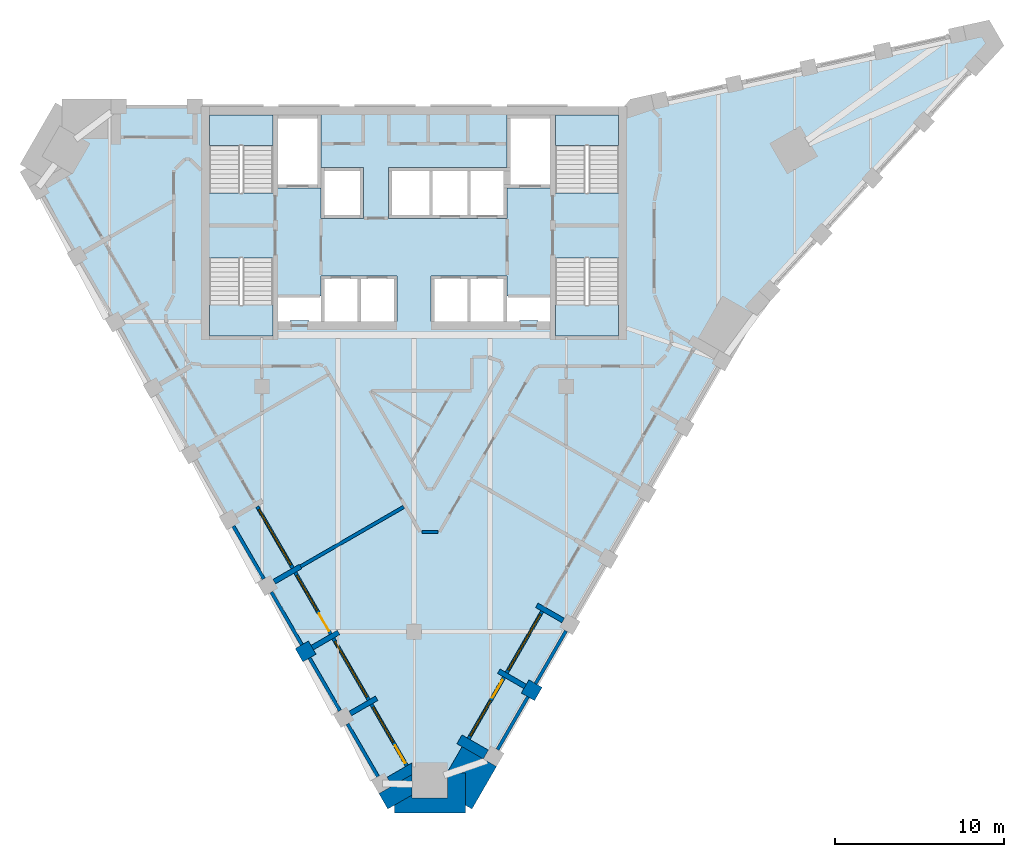
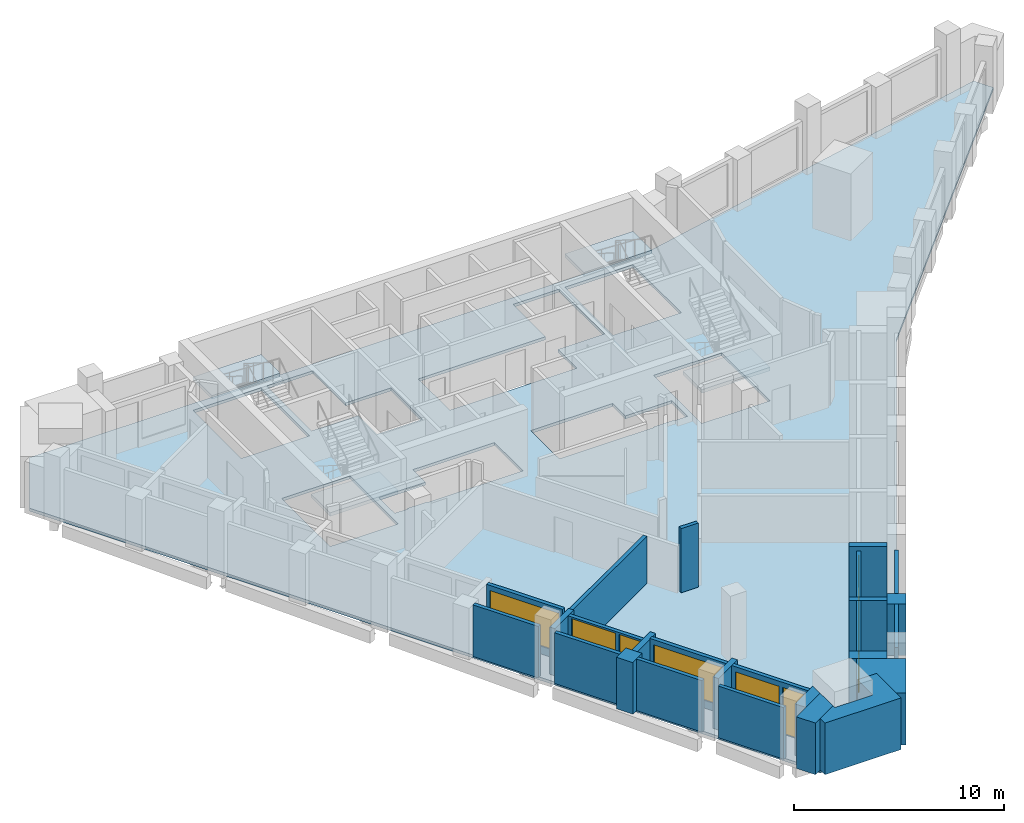
# One storey, part 2 of 9: 26 walls, 6 windows, 5 slabs, 3 doors, 9 openings, 4 elements without a shape of their own.
"""IFC4 building model written with IfcOpenShell, lengths in metres."""

from ifc_helpers import new_model, si_unit, direction, frame, frame_2d, origin, place, context, subcontext, project, spatial, polyline, rectangle, outline, extrude, material, layer, layer_set, type_object, element, fill, aggregate, save


model = new_model("IFC4")

# Units and contexts
model_context = context("Model", 3, precision=1e-05, world=origin(), true_north=direction((0.0, 1.0)))
body_context = subcontext(model_context, "Body", "Model", "MODEL_VIEW")
ifc_project = project(units=[si_unit("LENGTHUNIT", "METRE"), si_unit("AREAUNIT", "SQUARE_METRE"), si_unit("VOLUMEUNIT", "CUBIC_METRE"), si_unit("PLANEANGLEUNIT", "RADIAN"), si_unit("MASSUNIT", "GRAM", prefix="KILO")], contexts=[model_context])

# Site, building, storey
site_placement = place(None, origin())
site = spatial("IfcSite", under=ifc_project, at=site_placement, CompositionType="ELEMENT")
building_placement = place(site_placement, origin())
building = spatial("IfcBuilding", under=site, at=building_placement, Name="Calabash Gate Tower", CompositionType="ELEMENT")
storey_placement = place(building_placement, frame((0.0, 0.0, 287.199951171875)))
storey = spatial("IfcBuildingStorey", under=building, at=storey_placement, Name="L69", CompositionType="ELEMENT", Elevation=287.199951171875)

# Slab
ifc_material_1 = material(Name="Concrete C40/50", Category="concrete")
ifc_layer_1 = layer(ifc_material_1, 0.169921875)
ifc_layer_set_1 = layer_set([ifc_layer_1], Name="Composite floor slab 170 Concrete C40/50")
slab_type_1 = type_object("IfcSlabType", Name="Composite floor slab 170 Concrete C40/50", PredefinedType="FLOOR", material=ifc_layer_set_1)
slab_1_placement = place(storey_placement, frame((0.0, 0.0, -0.169921875)))
element("IfcSlab", 1, at=slab_1_placement, inside=storey, type_object=slab_type_1, Name="Floor slab L69", PredefinedType="FLOOR", context=body_context, shape_type="SweptSolid", body=[
    extrude(outline(polyline([(-22.9111328125, 15.41796875), (-20.812744140625, 19.052490234375), (12.88134765625, 19.052490234375), (33.783935546875, 23.664794921875), (34.326904296875, 22.724365234375), (19.88134765625, 6.92822265625), (3.034423828125, -22.251953125), (-1.16259765625, -22.251953125), (-22.9111328125, 15.41796875)]), holes=[polyline([(-1.0, 9.052490234375), (-3.25, 9.052490234375), (-5.5, 9.052490234375), (-5.5, 7.8525390625), (-8.050048828125, 7.8525390625), (-8.050048828125, 6.3525390625), (-7.324951171875, 6.3525390625), (-7.324951171875, 6.402587890625), (-6.22509765625, 6.402587890625), (-6.22509765625, 6.3525390625), (-5.5, 6.3525390625), (-3.25, 6.3525390625), (-1.0, 6.3525390625), (-1.0, 9.052490234375)]), polyline([(3.25, 6.3525390625), (5.5, 6.3525390625), (6.22509765625, 6.3525390625), (6.22509765625, 6.402587890625), (7.324951171875, 6.402587890625), (7.324951171875, 6.3525390625), (8.050048828125, 6.3525390625), (8.050048828125, 7.8525390625), (5.5, 7.8525390625), (5.5, 9.052490234375), (3.25, 9.052490234375), (1.0, 9.052490234375), (1.0, 6.3525390625), (3.25, 6.3525390625)]), polyline([(-5.5, 14.252685546875), (-5.5, 12.45263671875), (-3.0, 12.45263671875), (-3.0, 15.45263671875), (-5.5, 15.45263671875), (-5.5, 18.552490234375), (-8.050048828125, 18.552490234375), (-8.050048828125, 14.252685546875), (-5.5, 14.252685546875)]), polyline([(1.0, 15.45263671875), (-1.5, 15.45263671875), (-1.5, 12.45263671875), (1.0, 12.45263671875), (3.25, 12.45263671875), (5.5, 12.45263671875), (5.5, 14.252685546875), (8.050048828125, 14.252685546875), (8.050048828125, 18.552490234375), (5.5, 18.552490234375), (5.5, 15.45263671875), (3.25, 15.45263671875), (1.0, 15.45263671875)]), polyline([(-8.35009765625, 18.552490234375), (-12.10009765625, 18.552490234375), (-12.10009765625, 13.95263671875), (-8.35009765625, 13.95263671875), (-8.35009765625, 18.552490234375)]), polyline([(-12.10009765625, 10.1025390625), (-12.10009765625, 5.502685546875), (-8.35009765625, 5.502685546875), (-8.35009765625, 10.1025390625), (-12.10009765625, 10.1025390625)]), polyline([(8.35009765625, 13.95263671875), (12.10009765625, 13.95263671875), (12.10009765625, 18.552490234375), (8.35009765625, 18.552490234375), (8.35009765625, 13.95263671875)]), polyline([(12.10009765625, 5.502685546875), (12.10009765625, 10.1025390625), (8.35009765625, 10.1025390625), (8.35009765625, 5.502685546875), (12.10009765625, 5.502685546875)])]), origin(), (0.0, 0.0, 1.0), 0.169921875),
])

# Stair, slab
ifc_material_2 = material(Name="Concrete C40/50", Category="concrete")
stair_type = type_object("IfcStairType", Name="Exit stair 22 risers of 177.3 mm", PredefinedType="HALF_TURN_STAIR", material=ifc_material_2)
stair_1_placement = place(storey_placement, origin())
stair_1 = element("IfcStair", 2, at=stair_1_placement, inside=storey, type_object=stair_type, Name="L69 Exit stair ST1", PredefinedType="HALF_TURN_STAIR")
ifc_material_3 = material(Name="Concrete C40/50", Category="concrete")
ifc_layer_2 = layer(ifc_material_3, 0.199951171875)
ifc_layer_set_2 = layer_set([ifc_layer_2], Name="Stair landing SL200")
slab_type_2 = type_object("IfcSlabType", Name="Stair landing SL200", PredefinedType="LANDING", material=ifc_layer_set_2)
slab_2_placement = place(storey_placement, frame((0.0, 0.0, 1.75)))
slab_2 = element("IfcSlab", 3, at=slab_2_placement, type_object=slab_type_2, Name="ST1 landing 1", PredefinedType="LANDING", context=body_context, shape_type="SweptSolid", body=[
    extrude(outline(polyline([(-8.35009765625, 16.74267578125), (-8.35009765625, 18.552490234375), (-12.10009765625, 18.552490234375), (-12.10009765625, 16.74267578125), (-8.35009765625, 16.74267578125)])), origin(), (0.0, 0.0, 1.0), 0.199951171875),
])
aggregate(stair_1, [slab_2])

stair_2_placement = place(storey_placement, origin())
stair_2 = element("IfcStair", 4, at=stair_2_placement, inside=storey, type_object=stair_type, Name="L69 Exit stair ST2", PredefinedType="HALF_TURN_STAIR")
slab_3_placement = place(storey_placement, frame((0.0, 0.0, 1.75)))
slab_3 = element("IfcSlab", 5, at=slab_3_placement, type_object=slab_type_2, Name="ST2 landing 1", PredefinedType="LANDING", context=body_context, shape_type="SweptSolid", body=[
    extrude(outline(polyline([(-12.10009765625, 7.3125), (-12.10009765625, 5.502685546875), (-8.35009765625, 5.502685546875), (-8.35009765625, 7.3125), (-12.10009765625, 7.3125)])), origin(), (0.0, 0.0, 1.0), 0.199951171875),
])
aggregate(stair_2, [slab_3])

stair_3_placement = place(storey_placement, origin())
stair_3 = element("IfcStair", 6, at=stair_3_placement, inside=storey, type_object=stair_type, Name="L69 Exit stair ST3", PredefinedType="HALF_TURN_STAIR")
slab_4_placement = place(storey_placement, frame((0.0, 0.0, 1.75)))
slab_4 = element("IfcSlab", 7, at=slab_4_placement, type_object=slab_type_2, Name="ST3 landing 1", PredefinedType="LANDING", context=body_context, shape_type="SweptSolid", body=[
    extrude(outline(polyline([(12.10009765625, 16.74267578125), (12.10009765625, 18.552490234375), (8.35009765625, 18.552490234375), (8.35009765625, 16.74267578125), (12.10009765625, 16.74267578125)])), origin(), (0.0, 0.0, 1.0), 0.199951171875),
])
aggregate(stair_3, [slab_4])

stair_4_placement = place(storey_placement, origin())
stair_4 = element("IfcStair", 8, at=stair_4_placement, inside=storey, type_object=stair_type, Name="L69 Exit stair ST4", PredefinedType="HALF_TURN_STAIR")
slab_5_placement = place(storey_placement, frame((0.0, 0.0, 1.75)))
slab_5 = element("IfcSlab", 9, at=slab_5_placement, type_object=slab_type_2, Name="ST4 landing 1", PredefinedType="LANDING", context=body_context, shape_type="SweptSolid", body=[
    extrude(outline(polyline([(8.35009765625, 7.3125), (8.35009765625, 5.502685546875), (12.10009765625, 5.502685546875), (12.10009765625, 7.3125), (8.35009765625, 7.3125)])), origin(), (0.0, 0.0, 1.0), 0.199951171875),
])
aggregate(stair_4, [slab_5])

# Walls
ifc_material_4 = material(Name="Terracotta brick masonry, exposed face", Category="masonry")
ifc_layer_3 = layer(ifc_material_4, 2.35009765625)
ifc_layer_set_3 = layer_set([ifc_layer_3], Name="Brick corner mass wall 2350")
wall_type_1 = type_object("IfcWallType", Name="Brick corner mass wall 2350", PredefinedType="SOLIDWALL", material=ifc_layer_set_3)
wall_1_placement = place(storey_placement, origin())
element("IfcWall", 10, at=wall_1_placement, inside=storey, type_object=wall_type_1, Name="Brick corner pier S21 1a", PredefinedType="SOLIDWALL", context=body_context, shape_type="SweptSolid", body=[
    extrude(outline(polyline([(-0.114013671875, -20.435546875), (-2.07666015625, -21.568603515625), (-1.55224609375, -22.476806640625), (-0.114013671875, -21.646484375), (-0.114013671875, -20.435546875)])), origin(), (0.0, 0.0, 1.0), 3.0),
])
wall_2_placement = place(storey_placement, origin())
element("IfcWall", 11, at=wall_2_placement, inside=storey, type_object=wall_type_1, Name="Brick corner pier S21 1b", PredefinedType="SOLIDWALL", context=body_context, shape_type="SweptSolid", body=[
    extrude(outline(polyline([(-0.114013671875, -21.81591796875), (-0.114013671875, -21.646484375), (-1.16259765625, -22.251953125), (-1.16259765625, -22.701904296875), (3.034423828125, -22.701904296875), (3.034423828125, -20.351806640625), (1.986083984375, -20.351806640625), (1.986083984375, -21.81591796875), (-0.114013671875, -21.81591796875)])), origin(), (0.0, 0.0, 1.0), 3.0),
])
wall_3_placement = place(storey_placement, origin())
element("IfcWall", 12, at=wall_3_placement, inside=storey, type_object=wall_type_1, Name="Brick corner pier S21 1c", PredefinedType="SOLIDWALL", context=body_context, shape_type="SweptSolid", body=[
    extrude(outline(polyline([(4.87255859375, -19.9677734375), (2.83740234375, -18.79296875), (1.986083984375, -20.267578125), (1.986083984375, -20.351806640625), (3.034423828125, -20.351806640625), (3.034423828125, -22.251953125), (3.424072265625, -22.476806640625), (4.87255859375, -19.9677734375)])), origin(), (0.0, 0.0, 1.0), 3.0),
])
ifc_material_5 = material(Name="Terracotta brick masonry, exposed face", Category="masonry")
ifc_layer_4 = layer(ifc_material_5, 0.89990234375)
ifc_layer_set_4 = layer_set([ifc_layer_4], Name="Brick end wall 900")
wall_type_2 = type_object("IfcWallType", Name="Brick end wall 900", PredefinedType="SOLIDWALL", material=ifc_layer_set_4)
for number, where, z_axis, x_axis, name in (
    (13, (-6.186767578125, -13.549560546875, 0.0), (0.0, 0.0, 1.0), (-0.500105887137, 0.865964261186, 0.0), "Brick pier S21 SW0.7"),
    (14, (7.34765625, -15.68115234375, 0.0), (0.0, 0.0, 1.0), (-0.865964261186, 0.500105887137, 0.0), "Brick pier S21 SE2.1"),
):
    element("IfcWall", number, at=place(storey_placement, frame(where, z_axis=z_axis, x_axis=x_axis)), inside=storey, type_object=wall_type_2, Name=name, PredefinedType="SOLIDWALL", context=body_context, shape_type="SweptSolid", body=[
        extrude(rectangle(XDim=0.900146484375, YDim=0.89990234375, at=frame_2d((0.4501953125, 0.0))), origin(), (0.0, 0.0, 1.0), 3.0),
    ])
ifc_material_6 = material(Name="Terracotta brick masonry, exposed face", Category="masonry")
ifc_layer_5 = layer(ifc_material_6, 0.300048828125)
ifc_layer_set_5 = layer_set([ifc_layer_5], Name="Brick loggia cheek wall 300")
wall_type_3 = type_object("IfcWallType", Name="Brick loggia cheek wall 300", PredefinedType="SOLIDWALL", material=ifc_layer_set_5)
wall_4_placement = place(storey_placement, frame((-6.71337890625, -8.1376953125, 0.0), z_axis=(0.0, 0.0, 1.0), x_axis=(-0.866047807691, -0.499961193289, 0.0)))
element("IfcWall", 15, at=wall_4_placement, inside=storey, type_object=wall_type_3, Name="Loggia cheek S21 SW0.6", PredefinedType="SOLIDWALL", context=body_context, shape_type="SweptSolid", body=[
    extrude(rectangle(XDim=1.800048828125, YDim=0.300048828125, at=frame_2d((0.89990234375, 0.0))), origin(), (0.0, 0.0, 1.0), 2.74169921875),
])
wall_5_placement = place(storey_placement, frame((-6.022216796875, -12.934814453125, 0.0), z_axis=(0.0, 0.0, 1.0), x_axis=(0.865989075817, 0.500062916607, 0.0)))
element("IfcWall", 16, at=wall_5_placement, inside=storey, type_object=wall_type_3, Name="Loggia cheek S21 SW0.7", PredefinedType="SOLIDWALL", context=body_context, shape_type="SweptSolid", body=[
    extrude(rectangle(XDim=1.800048828125, YDim=0.300048828125, at=frame_2d((0.89990234375, 0.0))), origin(), (0.0, 0.0, 1.0), 2.9501953125),
])
wall_6_placement = place(storey_placement, frame((-3.772216796875, -16.831787109375, 0.0), z_axis=(0.0, 0.0, 1.0), x_axis=(0.866047807691, 0.499961193289, 0.0)))
element("IfcWall", 17, at=wall_6_placement, inside=storey, type_object=wall_type_3, Name="Loggia cheek S21 SW0.8", PredefinedType="SOLIDWALL", context=body_context, shape_type="SweptSolid", body=[
    extrude(rectangle(XDim=1.800048828125, YDim=0.300048828125, at=frame_2d((0.89990234375, 0.0))), origin(), (0.0, 0.0, 1.0), 3.0),
])
wall_7_placement = place(storey_placement, origin())
element("IfcWall", 18, at=wall_7_placement, inside=storey, type_object=wall_type_3, Name="Loggia cheek S21 SW0.9", PredefinedType="SOLIDWALL", context=body_context, shape_type="SweptSolid", body=[
    extrude(outline(polyline([(-1.297119140625, -21.11865234375), (-0.114013671875, -20.435546875), (-0.114013671875, -19.74267578125), (-1.59716796875, -20.59912109375), (-1.297119140625, -21.11865234375)])), origin(), (0.0, 0.0, 1.0), 3.0),
])
wall_8_placement = place(storey_placement, frame((2.684326171875, -18.358154296875, 0.0), z_axis=(0.0, 0.0, 1.0), x_axis=(0.866047807691, -0.499961193289, 0.0)))
element("IfcWall", 19, at=wall_8_placement, inside=storey, type_object=wall_type_3, Name="Loggia cheek S21 SE2.0", PredefinedType="SOLIDWALL", context=body_context, shape_type="SweptSolid", body=[
    extrude(rectangle(XDim=1.800048828125, YDim=0.60009765625, at=frame_2d((0.89990234375, 0.0))), origin(), (0.0, 0.0, 1.0), 3.0),
])
for number, where, z_axis, x_axis, name in (
    (20, (6.568115234375, -15.23095703125, 0.0), (0.0, 0.0, 1.0), (-0.866047807691, 0.499961193289, 0.0), "Loggia cheek S21 SE2.1"),
    (21, (7.25927734375, -10.433837890625, 0.0), (0.0, 0.0, 1.0), (0.865989075817, -0.500062916607, 0.0), "Loggia cheek S21 SE2.2"),
):
    element("IfcWall", number, at=place(storey_placement, frame(where, z_axis=z_axis, x_axis=x_axis)), inside=storey, type_object=wall_type_3, Name=name, PredefinedType="SOLIDWALL", context=body_context, shape_type="SweptSolid", body=[
        extrude(rectangle(XDim=1.800048828125, YDim=0.300048828125, at=frame_2d((0.89990234375, 0.0))), origin(), (0.0, 0.0, 1.0), 3.0),
    ])
ifc_material_7 = material(Name="Gypsum board on steel studs, mineral wool", Category="steel")
ifc_layer_6 = layer(ifc_material_7, 0.199951171875)
ifc_layer_set_6 = layer_set([ifc_layer_6], Name="Partition 200 gypsum board EI 60")
wall_type_4 = type_object("IfcWallType", Name="Partition 200 gypsum board EI 60", PredefinedType="PARTITIONING", material=ifc_layer_set_6)
wall_9_placement = place(storey_placement, frame((-6.713134765625, -8.13818359375, 0.0), z_axis=(0.0, 0.0, 1.0), x_axis=(0.86611466028, 0.499845371339, 0.0)))
element("IfcWall", 22, at=wall_9_placement, inside=storey, type_object=wall_type_4, Name="Partition", PredefinedType="PARTITIONING", context=body_context, shape_type="SweptSolid", body=[
    extrude(rectangle(XDim=7.049560546875, YDim=0.199951171875, at=frame_2d((3.52490234375, 0.0))), origin(), (0.0, 0.0, 1.0), 2.74169921875),
])
wall_10_placement = place(storey_placement, frame((0.464111328125, -6.0966796875, 0.0), z_axis=(0.0, 0.0, 1.0), x_axis=(0.999999966529, -0.000258732204, 0.0)))
element("IfcWall", 23, at=wall_10_placement, inside=storey, type_object=wall_type_4, Name="Partition", PredefinedType="PARTITIONING", context=body_context, shape_type="SweptSolid", body=[
    extrude(rectangle(XDim=0.943603515625, YDim=0.199951171875, at=frame_2d((0.4716796875, 0.0))), origin(), (0.0, 0.0, 1.0), 3.72998046875),
])
ifc_material_8 = material(Name="Terracotta brick masonry, perforated", Category="masonry")
ifc_layer_7 = layer(ifc_material_8, 0.199951171875)
ifc_layer_set_7 = layer_set([ifc_layer_7], Name="Terracotta jaali screen A")
wall_type_5 = type_object("IfcWallType", Name="Terracotta jaali screen A", PredefinedType="SOLIDWALL", material=ifc_layer_set_7)
wall_11_placement = place(storey_placement, frame((-10.686767578125, -5.755126953125, 0.0), z_axis=(0.0, 0.0, 1.0), x_axis=(0.499961193289, -0.866047807691, 0.0)))
element("IfcWall", 24, at=wall_11_placement, inside=storey, type_object=wall_type_5, Name="SCREEN A S21 SW0.6", PredefinedType="SOLIDWALL", context=body_context, shape_type="SweptSolid", body=[
    extrude(rectangle(XDim=3.599853515625, YDim=0.199951171875, at=frame_2d((1.7998046875, 0.0))), origin(), (0.0, 0.0, 1.0), 3.0),
])
wall_12_placement = place(storey_placement, frame((-8.436767578125, -9.65234375, 0.0), z_axis=(0.0, 0.0, 1.0), x_axis=(0.499961193289, -0.866047807691, 0.0)))
element("IfcWall", 25, at=wall_12_placement, inside=storey, type_object=wall_type_5, Name="SCREEN A S21 SW0.7", PredefinedType="SOLIDWALL", context=body_context, shape_type="SweptSolid", body=[
    extrude(rectangle(XDim=3.599853515625, YDim=0.199951171875, at=frame_2d((1.7998046875, 0.0))), origin(), (0.0, 0.0, 1.0), 2.9501953125),
])
for number, where, z_axis, x_axis, name in (
    (26, (-6.186767578125, -13.549560546875, 0.0), (0.0, 0.0, 1.0), (0.499961193289, -0.866047807691, 0.0), "SCREEN A S21 SW0.8"),
    (27, (-3.936767578125, -17.446533203125, 0.0), (0.0, 0.0, 1.0), (0.499961193289, -0.866047807691, 0.0), "SCREEN A S21 SW0.9"),
):
    element("IfcWall", number, at=place(storey_placement, frame(where, z_axis=z_axis, x_axis=x_axis)), inside=storey, type_object=wall_type_5, Name=name, PredefinedType="SOLIDWALL", context=body_context, shape_type="SweptSolid", body=[
        extrude(rectangle(XDim=3.599853515625, YDim=0.199951171875, at=frame_2d((1.7998046875, 0.0))), origin(), (0.0, 0.0, 1.0), 3.0),
    ])
for number, where, z_axis, x_axis, name in (
    (28, (4.932861328125, -18.96337890625, 0.0), (0.0, 0.0, 1.0), (0.500012057535, 0.866018442252, 0.0), "SCREEN A S21 SE2.1"),
    (29, (7.182861328125, -15.06640625, 0.0), (0.0, 0.0, 1.0), (0.500012057535, 0.866018442252, 0.0), "SCREEN A S21 SE2.2"),
):
    element("IfcWall", number, at=place(storey_placement, frame(where, z_axis=z_axis, x_axis=x_axis)), inside=storey, type_object=wall_type_5, Name=name, PredefinedType="SOLIDWALL", context=body_context, shape_type="SweptSolid", body=[
        extrude(rectangle(XDim=3.60009765625, YDim=0.199951171875, at=frame_2d((1.800048828125, 0.0))), origin(), (0.0, 0.0, 1.0), 3.0),
    ])

# Wall, opening, window
ifc_material_9 = material(Name="Aluminium framed window wall with insulated spandrel", Category="aluminium")
ifc_layer_8 = layer(ifc_material_9, 0.199951171875)
ifc_layer_set_8 = layer_set([ifc_layer_8], Name="Window wall 200")
wall_type_6 = type_object("IfcWallType", Name="Window wall 200", PredefinedType="ELEMENTEDWALL", material=ifc_layer_set_8)
wall_13_placement = place(storey_placement, frame((-9.278076171875, -4.595458984375, 0.0), z_axis=(0.0, 0.0, 1.0), x_axis=(0.500027713859, -0.866009402589, 0.0)))
wall_13 = element("IfcWall", 30, at=wall_13_placement, inside=storey, type_object=wall_type_6, Name="Window wall S21 SW0.6", PredefinedType="ELEMENTEDWALL", context=body_context, shape_type="SweptSolid", body=[
    extrude(rectangle(XDim=4.199951171875, YDim=0.199951171875, at=frame_2d((2.10009765625, 0.0))), origin(), (0.0, 0.0, 1.0), 3.0),
])
opening_1_placement = place(wall_13_placement, frame((0.199951171875, 0.0, 0.449951171875)))
opening_1 = element("IfcOpeningElement", 31, at=opening_1_placement, cuts=wall_13, Name="Opening OW2", PredefinedType="OPENING", context=body_context, shape_type="SweptSolid", body=[
    extrude(rectangle(XDim=3.800048828125, YDim=2.25, at=frame_2d((1.89990234375, 1.125))), frame((0.0, 0.10986328125, 0.0), z_axis=(0.0, -1.0, 0.0), x_axis=(1.0, 0.0, 0.0)), (0.0, 0.0, 1.0), 0.219970703125),
])
ifc_material_10 = material(Name="Anodised aluminium frame, bronze finish, impact-rated laminated clear glazing", Category="aluminium")
window_type_1 = type_object("IfcWindowType", Name="Window OW2 3800x2250", PartitioningType="TRIPLE_PANEL_VERTICAL", PredefinedType="WINDOW", material=ifc_material_10)
window_1_placement = place(opening_1_placement, origin())
window_1 = element("IfcWindow", 32, at=window_1_placement, inside=storey, type_object=window_type_1, Name="Window OW2 S21 SW0.6", OverallHeight=2.25, OverallWidth=3.800048828125, PartitioningType="SINGLE_PANEL", PredefinedType="WINDOW", context=body_context, shape_type="SweptSolid", body=[
    extrude(rectangle(XDim=3.800048828125, YDim=2.25, at=frame_2d((1.89990234375, 1.125))), frame((0.0, 0.030029296875, 0.0), z_axis=(0.0, -1.0, 0.0), x_axis=(1.0, 0.0, 0.0)), (0.0, 0.0, 1.0), 0.06005859375),
])
fill(opening_1, window_1)

# Wall, openings, door, window
wall_14_placement = place(storey_placement, frame((-7.028076171875, -8.492431640625, 0.0), z_axis=(0.0, 0.0, 1.0), x_axis=(0.500002543286, -0.866023935413, 0.0)))
wall_14 = element("IfcWall", 33, at=wall_14_placement, inside=storey, type_object=wall_type_6, Name="Window wall S21 SW0.7", PredefinedType="ELEMENTEDWALL", context=body_context, shape_type="SweptSolid", body=[
    extrude(rectangle(XDim=4.2001953125, YDim=0.199951171875, at=frame_2d((2.10009765625, 0.0))), origin(), (0.0, 0.0, 1.0), 2.74169921875),
])
opening_2_placement = place(wall_14_placement, frame((0.199951171875, 0.0, 0.449951171875)))
opening_2 = element("IfcOpeningElement", 34, at=opening_2_placement, cuts=wall_14, Name="Opening OW1L-2190", PredefinedType="OPENING", context=body_context, shape_type="SweptSolid", body=[
    extrude(rectangle(XDim=2.39990234375, YDim=2.18994140625, at=frame_2d((1.199951171875, 1.094970703125))), frame((0.0, 0.10986328125, 0.0), z_axis=(0.0, -1.0, 0.0), x_axis=(1.0, 0.0, 0.0)), (0.0, 0.0, 1.0), 0.219970703125),
])
opening_3_placement = place(wall_14_placement, frame((2.800048828125, 0.0, 0.0)))
opening_3 = element("IfcOpeningElement", 35, at=opening_3_placement, cuts=wall_14, Name="Opening O13-021", PredefinedType="OPENING", context=body_context, shape_type="SweptSolid", body=[
    extrude(rectangle(XDim=1.199951171875, YDim=2.639892578125, at=frame_2d((0.60009765625, 1.31982421875))), frame((0.0, 0.10986328125, 0.0), z_axis=(0.0, -1.0, 0.0), x_axis=(1.0, 0.0, 0.0)), (0.0, 0.0, 1.0), 0.219970703125),
])
ifc_material_11 = material(Name="Anodised aluminium frame, bronze finish, impact-rated laminated clear glazing", Category="aluminium")
door_type_1 = type_object("IfcDoorType", Name="Loggia door DO1L-2640 1200x2640", OperationType="SLIDING_TO_LEFT", PredefinedType="DOOR", material=ifc_material_11)
door_1_placement = place(opening_3_placement, origin())
door_1 = element("IfcDoor", 36, at=door_1_placement, inside=storey, type_object=door_type_1, Name="Loggia door S21 SW0.7", OperationType="SINGLE_SWING_LEFT", OverallHeight=2.639892578125, OverallWidth=1.199951171875, PredefinedType="DOOR", context=body_context, shape_type="SweptSolid", body=[
    extrude(rectangle(XDim=1.199951171875, YDim=2.639892578125, at=frame_2d((0.60009765625, 1.31982421875))), frame((0.0, 0.02490234375, 0.0), z_axis=(0.0, -1.0, 0.0), x_axis=(1.0, 0.0, 0.0)), (0.0, 0.0, 1.0), 0.050048828125),
])
fill(opening_3, door_1)
ifc_material_12 = material(Name="Anodised aluminium frame, bronze finish, impact-rated laminated clear glazing", Category="aluminium")
window_type_2 = type_object("IfcWindowType", Name="Window OW1L 2400x2190", PartitioningType="DOUBLE_PANEL_VERTICAL", PredefinedType="WINDOW", material=ifc_material_12)
window_2_placement = place(opening_2_placement, origin())
window_2 = element("IfcWindow", 37, at=window_2_placement, inside=storey, type_object=window_type_2, Name="Window OW1 S21 SW0.7", OverallHeight=2.18994140625, OverallWidth=2.39990234375, PartitioningType="SINGLE_PANEL", PredefinedType="WINDOW", context=body_context, shape_type="SweptSolid", body=[
    extrude(rectangle(XDim=2.39990234375, YDim=2.18994140625, at=frame_2d((1.199951171875, 1.094970703125))), frame((0.0, 0.030029296875, 0.0), z_axis=(0.0, -1.0, 0.0), x_axis=(1.0, 0.0, 0.0)), (0.0, 0.0, 1.0), 0.06005859375),
])
fill(opening_2, window_2)

# Wall, opening, window
wall_15_placement = place(storey_placement, frame((-4.778076171875, -12.3896484375, 0.0), z_axis=(0.0, 0.0, 1.0), x_axis=(0.500027713859, -0.866009402589, 0.0)))
wall_15 = element("IfcWall", 38, at=wall_15_placement, inside=storey, type_object=wall_type_6, Name="Window wall S21 SW0.8", PredefinedType="ELEMENTEDWALL", context=body_context, shape_type="SweptSolid", body=[
    extrude(rectangle(XDim=4.199951171875, YDim=0.199951171875, at=frame_2d((2.10009765625, 0.0))), origin(), (0.0, 0.0, 1.0), 3.0),
])
opening_4_placement = place(wall_15_placement, frame((0.199951171875, 0.0, 0.449951171875)))
opening_4 = element("IfcOpeningElement", 39, at=opening_4_placement, cuts=wall_15, Name="Opening OW2", PredefinedType="OPENING", context=body_context, shape_type="SweptSolid", body=[
    extrude(rectangle(XDim=3.800048828125, YDim=2.25, at=frame_2d((1.89990234375, 1.125))), frame((0.0, 0.10986328125, 0.0), z_axis=(0.0, -1.0, 0.0), x_axis=(1.0, 0.0, 0.0)), (0.0, 0.0, 1.0), 0.219970703125),
])
window_3_placement = place(opening_4_placement, origin())
window_3 = element("IfcWindow", 40, at=window_3_placement, inside=storey, type_object=window_type_1, Name="Window OW2 S21 SW0.8", OverallHeight=2.25, OverallWidth=3.800048828125, PartitioningType="SINGLE_PANEL", PredefinedType="WINDOW", context=body_context, shape_type="SweptSolid", body=[
    extrude(rectangle(XDim=3.800048828125, YDim=2.25, at=frame_2d((1.89990234375, 1.125))), frame((0.0, 0.030029296875, 0.0), z_axis=(0.0, -1.0, 0.0), x_axis=(1.0, 0.0, 0.0)), (0.0, 0.0, 1.0), 0.06005859375),
])
fill(opening_4, window_3)

# Wall, openings, door, window
wall_16_placement = place(storey_placement, frame((-2.528076171875, -16.286865234375, 0.0), z_axis=(0.0, 0.0, 1.0), x_axis=(0.500027713859, -0.866009402589, 0.0)))
wall_16 = element("IfcWall", 41, at=wall_16_placement, inside=storey, type_object=wall_type_6, Name="Window wall S21 SW0.9", PredefinedType="ELEMENTEDWALL", context=body_context, shape_type="SweptSolid", body=[
    extrude(rectangle(XDim=4.199951171875, YDim=0.199951171875, at=frame_2d((2.10009765625, 0.0))), origin(), (0.0, 0.0, 1.0), 3.0),
])
opening_5_placement = place(wall_16_placement, frame((0.199951171875, 0.0, 0.449951171875)))
opening_5 = element("IfcOpeningElement", 42, at=opening_5_placement, cuts=wall_16, Name="Opening OW1", PredefinedType="OPENING", context=body_context, shape_type="SweptSolid", body=[
    extrude(rectangle(XDim=2.39990234375, YDim=2.25, at=frame_2d((1.199951171875, 1.125))), frame((0.0, 0.10986328125, 0.0), z_axis=(0.0, -1.0, 0.0), x_axis=(1.0, 0.0, 0.0)), (0.0, 0.0, 1.0), 0.219970703125),
])
opening_6_placement = place(wall_16_placement, frame((2.800048828125, 0.0, 0.0)))
opening_6 = element("IfcOpeningElement", 43, at=opening_6_placement, cuts=wall_16, Name="Opening O13-022", PredefinedType="OPENING", context=body_context, shape_type="SweptSolid", body=[
    extrude(rectangle(XDim=1.199951171875, YDim=2.699951171875, at=frame_2d((0.60009765625, 1.35009765625))), frame((0.0, 0.10986328125, 0.0), z_axis=(0.0, -1.0, 0.0), x_axis=(1.0, 0.0, 0.0)), (0.0, 0.0, 1.0), 0.219970703125),
])
ifc_material_13 = material(Name="Anodised aluminium frame, bronze finish, impact-rated laminated clear glazing", Category="aluminium")
door_type_2 = type_object("IfcDoorType", Name="Loggia door DO1 1200x2700", OperationType="SLIDING_TO_LEFT", PredefinedType="DOOR", material=ifc_material_13)
door_2_placement = place(opening_6_placement, origin())
door_2 = element("IfcDoor", 44, at=door_2_placement, inside=storey, type_object=door_type_2, Name="Loggia door S21 SW0.9", OperationType="SINGLE_SWING_LEFT", OverallHeight=2.699951171875, OverallWidth=1.199951171875, PredefinedType="DOOR", context=body_context, shape_type="SweptSolid", body=[
    extrude(rectangle(XDim=1.199951171875, YDim=2.699951171875, at=frame_2d((0.60009765625, 1.35009765625))), frame((0.0, 0.02490234375, 0.0), z_axis=(0.0, -1.0, 0.0), x_axis=(1.0, 0.0, 0.0)), (0.0, 0.0, 1.0), 0.050048828125),
])
fill(opening_6, door_2)
ifc_material_14 = material(Name="Anodised aluminium frame, bronze finish, impact-rated laminated clear glazing", Category="aluminium")
window_type_3 = type_object("IfcWindowType", Name="Window OW1 2400x2250", PartitioningType="DOUBLE_PANEL_VERTICAL", PredefinedType="WINDOW", material=ifc_material_14)
window_4_placement = place(opening_5_placement, origin())
window_4 = element("IfcWindow", 45, at=window_4_placement, inside=storey, type_object=window_type_3, Name="Window OW1 S21 SW0.9", OverallHeight=2.25, OverallWidth=2.39990234375, PartitioningType="SINGLE_PANEL", PredefinedType="WINDOW", context=body_context, shape_type="SweptSolid", body=[
    extrude(rectangle(XDim=2.39990234375, YDim=2.25, at=frame_2d((1.199951171875, 1.125))), frame((0.0, 0.030029296875, 0.0), z_axis=(0.0, -1.0, 0.0), x_axis=(1.0, 0.0, 0.0)), (0.0, 0.0, 1.0), 0.06005859375),
])
fill(opening_5, window_4)

wall_17_placement = place(storey_placement, frame((3.22412109375, -18.3232421875, 0.0), z_axis=(0.0, 0.0, 1.0), x_axis=(0.49998411664, 0.866034573852, 0.0)))
wall_17 = element("IfcWall", 46, at=wall_17_placement, inside=storey, type_object=wall_type_6, Name="Window wall S21 SE2.1", PredefinedType="ELEMENTEDWALL", context=body_context, shape_type="SweptSolid", body=[
    extrude(rectangle(XDim=4.199951171875, YDim=0.199951171875, at=frame_2d((2.10009765625, 0.0))), origin(), (0.0, 0.0, 1.0), 3.0),
])
opening_7_placement = place(wall_17_placement, frame((0.199951171875, 0.0, 0.449951171875)))
opening_7 = element("IfcOpeningElement", 47, at=opening_7_placement, cuts=wall_17, Name="Opening OW1", PredefinedType="OPENING", context=body_context, shape_type="SweptSolid", body=[
    extrude(rectangle(XDim=2.39990234375, YDim=2.25, at=frame_2d((1.199951171875, 1.125))), frame((0.0, 0.10986328125, 0.0), z_axis=(0.0, -1.0, 0.0), x_axis=(1.0, 0.0, 0.0)), (0.0, 0.0, 1.0), 0.219970703125),
])
opening_8_placement = place(wall_17_placement, frame((2.800048828125, 0.0, 0.0)))
opening_8 = element("IfcOpeningElement", 48, at=opening_8_placement, cuts=wall_17, Name="Opening O13-015", PredefinedType="OPENING", context=body_context, shape_type="SweptSolid", body=[
    extrude(rectangle(XDim=1.199951171875, YDim=2.699951171875, at=frame_2d((0.60009765625, 1.35009765625))), frame((0.0, 0.10986328125, 0.0), z_axis=(0.0, -1.0, 0.0), x_axis=(1.0, 0.0, 0.0)), (0.0, 0.0, 1.0), 0.219970703125),
])
door_3_placement = place(opening_8_placement, origin())
door_3 = element("IfcDoor", 49, at=door_3_placement, inside=storey, type_object=door_type_2, Name="Loggia door S21 SE2.1", OperationType="SINGLE_SWING_LEFT", OverallHeight=2.699951171875, OverallWidth=1.199951171875, PredefinedType="DOOR", context=body_context, shape_type="SweptSolid", body=[
    extrude(rectangle(XDim=1.199951171875, YDim=2.699951171875, at=frame_2d((0.60009765625, 1.35009765625))), frame((0.0, 0.02490234375, 0.0), z_axis=(0.0, -1.0, 0.0), x_axis=(1.0, 0.0, 0.0)), (0.0, 0.0, 1.0), 0.050048828125),
])
fill(opening_8, door_3)
window_5_placement = place(opening_7_placement, origin())
window_5 = element("IfcWindow", 50, at=window_5_placement, inside=storey, type_object=window_type_3, Name="Window OW1 S21 SE2.1", OverallHeight=2.25, OverallWidth=2.39990234375, PartitioningType="SINGLE_PANEL", PredefinedType="WINDOW", context=body_context, shape_type="SweptSolid", body=[
    extrude(rectangle(XDim=2.39990234375, YDim=2.25, at=frame_2d((1.199951171875, 1.125))), frame((0.0, 0.030029296875, 0.0), z_axis=(0.0, -1.0, 0.0), x_axis=(1.0, 0.0, 0.0)), (0.0, 0.0, 1.0), 0.06005859375),
])
fill(opening_7, window_5)

# Wall, opening, window
wall_18_placement = place(storey_placement, frame((5.47412109375, -14.42626953125, 0.0), z_axis=(0.0, 0.0, 1.0), x_axis=(0.499958946799, 0.866049104564, 0.0)))
wall_18 = element("IfcWall", 51, at=wall_18_placement, inside=storey, type_object=wall_type_6, Name="Window wall S21 SE2.2", PredefinedType="ELEMENTEDWALL", context=body_context, shape_type="SweptSolid", body=[
    extrude(rectangle(XDim=4.199951171875, YDim=0.199951171875, at=frame_2d((2.10009765625, 0.0))), origin(), (0.0, 0.0, 1.0), 2.74169921875),
])
opening_9_placement = place(wall_18_placement, frame((0.199951171875, 0.0, 0.449951171875)))
opening_9 = element("IfcOpeningElement", 52, at=opening_9_placement, cuts=wall_18, Name="Opening OW2L-2190", PredefinedType="OPENING", context=body_context, shape_type="SweptSolid", body=[
    extrude(rectangle(XDim=3.800048828125, YDim=2.18994140625, at=frame_2d((1.89990234375, 1.094970703125))), frame((0.0, 0.10986328125, 0.0), z_axis=(0.0, -1.0, 0.0), x_axis=(1.0, 0.0, 0.0)), (0.0, 0.0, 1.0), 0.219970703125),
])
ifc_material_15 = material(Name="Anodised aluminium frame, bronze finish, impact-rated laminated clear glazing", Category="aluminium")
window_type_4 = type_object("IfcWindowType", Name="Window OW2L 3800x2190", PartitioningType="TRIPLE_PANEL_VERTICAL", PredefinedType="WINDOW", material=ifc_material_15)
window_6_placement = place(opening_9_placement, origin())
window_6 = element("IfcWindow", 53, at=window_6_placement, inside=storey, type_object=window_type_4, Name="Window OW2 S21 SE2.2", OverallHeight=2.18994140625, OverallWidth=3.800048828125, PartitioningType="SINGLE_PANEL", PredefinedType="WINDOW", context=body_context, shape_type="SweptSolid", body=[
    extrude(rectangle(XDim=3.800048828125, YDim=2.18994140625, at=frame_2d((1.89990234375, 1.094970703125))), frame((0.0, 0.030029296875, 0.0), z_axis=(0.0, -1.0, 0.0), x_axis=(1.0, 0.0, 0.0)), (0.0, 0.0, 1.0), 0.06005859375),
])
fill(opening_9, window_6)

save(model, "model.ifc")
